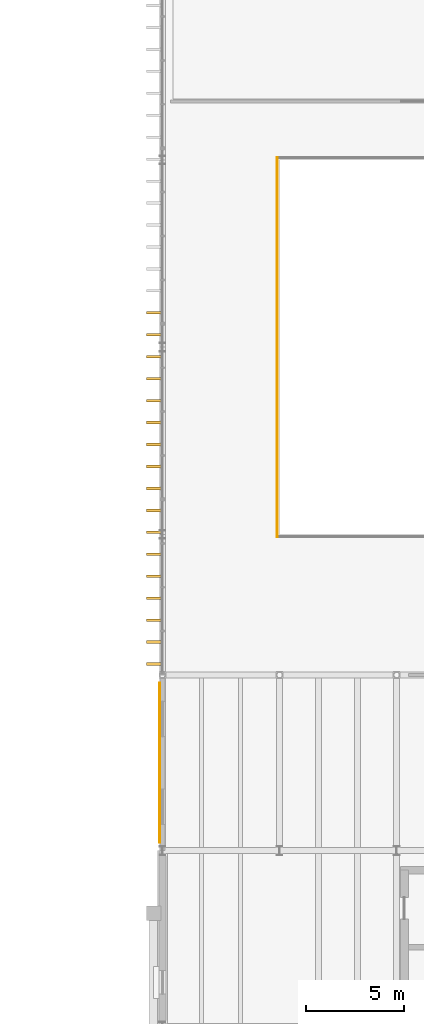
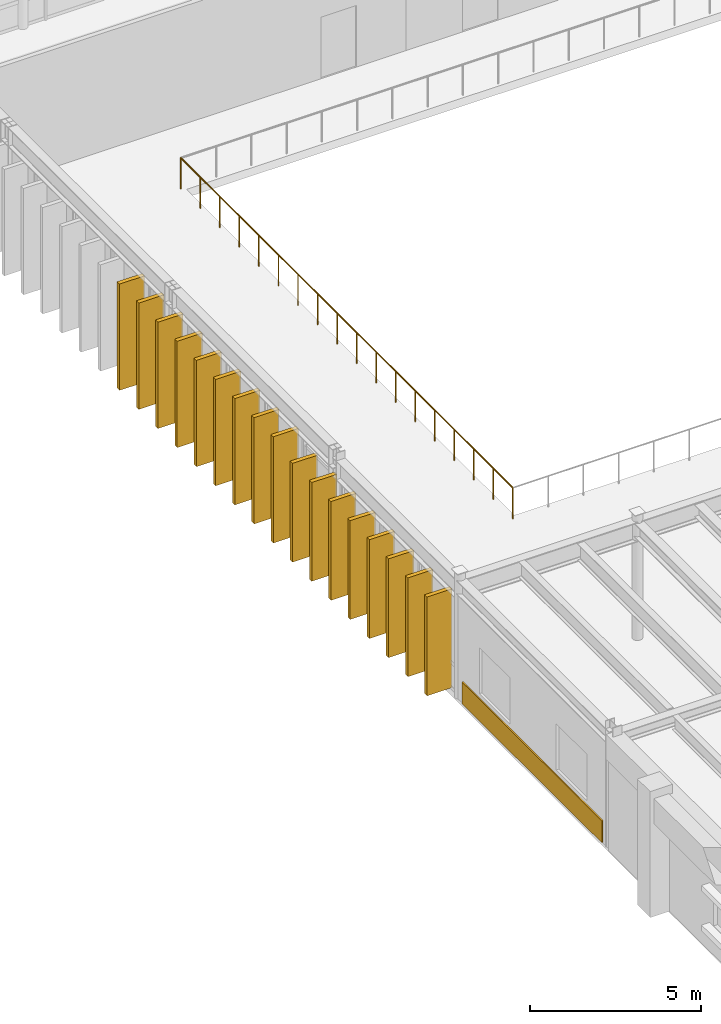
# One storey, part 57 of 64: 18 coverings, 1 railing.
"""IFC4 building model written with IfcOpenShell, lengths in metres."""

from ifc_helpers import new_model, si_unit, direction, frame, origin, origin_2d, place, context, subcontext, project, spatial, rectangle, circle, extrude, material, layer, layer_set, type_object, element, save


model = new_model("IFC4")

# Units and contexts
model_context = context("Model", 3, precision=1e-05, world=origin(), true_north=direction((0.0, 1.0)))
body_context = subcontext(model_context, "Body", "Model", "MODEL_VIEW")
ifc_project = project(units=[si_unit("LENGTHUNIT", "METRE"), si_unit("AREAUNIT", "SQUARE_METRE"), si_unit("VOLUMEUNIT", "CUBIC_METRE"), si_unit("PLANEANGLEUNIT", "RADIAN"), si_unit("MASSUNIT", "GRAM", prefix="KILO")], contexts=[model_context])

# Site, building, storey
site_placement = place(None, origin())
site = spatial("IfcSite", under=ifc_project, at=site_placement, CompositionType="ELEMENT")
building_placement = place(site_placement, origin())
building = spatial("IfcBuilding", under=site, at=building_placement, Name="Montealbar Specialist Clinic", CompositionType="ELEMENT")
storey_placement = place(building_placement, frame((0.0, 0.0, 5.10009765625)))
storey = spatial("IfcBuildingStorey", under=building, at=storey_placement, Name="L01", CompositionType="ELEMENT", Elevation=5.10009765625)

# Coverings
ifc_material_1 = material(Name="Terracotta architectural cladding", Category="masonry")
ifc_layer_1 = layer(ifc_material_1, 0.044921875, Name="Terracotta architectural cladding", Category="masonry")
ifc_layer_set_1 = layer_set([ifc_layer_1], Name="Terracotta architectural cladding")
covering_type_1 = type_object("IfcCoveringType", Name="COV-CLAD-TERRA", PredefinedType="CLADDING", material=ifc_layer_set_1)
covering_placement = place(storey_placement, frame((53.85888671875, 40.5, 0.02978515625), z_axis=(0.0, 0.0, 1.0), x_axis=(0.0, 1.0, 0.0)))
element("IfcCovering", 1, at=covering_placement, inside=storey, type_object=covering_type_1, Name="Facade Plinth Cladding Band L01-026", PredefinedType="CLADDING", context=body_context, shape_type="SweptSolid", body=[
    extrude(rectangle(XDim=8.199951171875, YDim=0.044921875, at=origin_2d()), origin(), (0.0, 0.0, 1.0), 0.780029296875),
])
ifc_material_2 = material(Name="Thermally modified timber cladding", Category="wood")
ifc_layer_2 = layer(ifc_material_2, 0.139892578125, Name="Thermally modified timber cladding", Category="wood")
ifc_layer_set_2 = layer_set([ifc_layer_2], Name="Thermally modified timber cladding")
covering_type_2 = type_object("IfcCoveringType", Name="COV-FIN-TIMBER-850", PredefinedType="CLADDING", material=ifc_layer_set_2)
for number, where, z_axis, x_axis, name in (
    (2, (53.60009765625, 45.56201171875, 0.0), (0.0, 0.0, 1.0), (-1.0, 0.0, 0.0), "Vertical Timber Solar Fin CF-L01-0033"),
    (3, (53.60009765625, 46.68798828125, 0.0), (0.0, 0.0, 1.0), (-1.0, 0.0, 0.0), "Vertical Timber Solar Fin CF-L01-0034"),
    (4, (53.60009765625, 47.81201171875, 0.0), (0.0, 0.0, 1.0), (-1.0, 0.0, 0.0), "Vertical Timber Solar Fin CF-L01-0035"),
    (5, (53.60009765625, 48.93798828125, 0.0), (0.0, 0.0, 1.0), (-1.0, 0.0, 0.0), "Vertical Timber Solar Fin CF-L01-0036"),
    (6, (53.60009765625, 50.06201171875, 0.0), (0.0, 0.0, 1.0), (-1.0, 0.0, 0.0), "Vertical Timber Solar Fin CF-L01-0037"),
    (7, (53.60009765625, 51.18798828125, 0.0), (0.0, 0.0, 1.0), (-1.0, 0.0, 0.0), "Vertical Timber Solar Fin CF-L01-0038"),
    (8, (53.60009765625, 52.31201171875, 0.0), (0.0, 0.0, 1.0), (-1.0, 0.0, 0.0), "Vertical Timber Solar Fin CF-L01-0039"),
    (9, (53.60009765625, 53.43798828125, 0.0), (0.0, 0.0, 1.0), (-1.0, 0.0, 0.0), "Vertical Timber Solar Fin CF-L01-0040"),
):
    element("IfcCovering", number, at=place(storey_placement, frame(where, z_axis=z_axis, x_axis=x_axis)), inside=storey, type_object=covering_type_2, Name=name, PredefinedType="CLADDING", context=body_context, shape_type="SweptSolid", body=[
        extrude(rectangle(XDim=0.85009765625, YDim=0.139892578125, at=origin_2d()), origin(), (0.0, 0.0, 1.0), 3.530029296875),
    ])
for number, where, z_axis, x_axis, name in (
    (10, (53.60009765625, 54.56201171875, 0.0), (0.0, 0.0, 1.0), (-1.0, 0.0, 0.0), "Vertical Timber Solar Fin CF-L01-0041"),
    (11, (53.60009765625, 55.68798828125, 0.0), (0.0, 0.0, 1.0), (-1.0, 0.0, 0.0), "Vertical Timber Solar Fin CF-L01-0042"),
    (12, (53.60009765625, 56.81201171875, 0.0), (0.0, 0.0, 1.0), (-1.0, 0.0, 0.0), "Vertical Timber Solar Fin CF-L01-0043"),
    (13, (53.60009765625, 57.93798828125, 0.0), (0.0, 0.0, 1.0), (-1.0, 0.0, 0.0), "Vertical Timber Solar Fin CF-L01-0044"),
    (14, (53.60009765625, 59.06201171875, 0.0), (0.0, 0.0, 1.0), (-1.0, 0.0, 0.0), "Vertical Timber Solar Fin CF-L01-0045"),
    (15, (53.60009765625, 60.18798828125, 0.0), (0.0, 0.0, 1.0), (-1.0, 0.0, 0.0), "Vertical Timber Solar Fin CF-L01-0046"),
    (16, (53.60009765625, 61.31201171875, 0.0), (0.0, 0.0, 1.0), (-1.0, 0.0, 0.0), "Vertical Timber Solar Fin CF-L01-0047"),
    (17, (53.60009765625, 62.43798828125, 0.0), (0.0, 0.0, 1.0), (-1.0, 0.0, 0.0), "Vertical Timber Solar Fin CF-L01-0048"),
    (18, (53.60009765625, 63.56201171875, 0.0), (0.0, 0.0, 1.0), (-1.0, 0.0, 0.0), "Vertical Timber Solar Fin CF-L01-0049"),
):
    element("IfcCovering", number, at=place(storey_placement, frame(where, z_axis=z_axis, x_axis=x_axis)), inside=storey, type_object=covering_type_2, Name=name, PredefinedType="CLADDING", context=body_context, shape_type="SweptSolid", body=[
        extrude(rectangle(XDim=0.85009765625, YDim=0.139892578125, at=origin_2d()), origin(), (0.0, 0.0, 1.0), 3.800048828125),
    ])

# Railing
ifc_material_3 = material(Name="Steel S355", Category="steel")
ifc_layer_3 = layer(ifc_material_3, 0.06005859375, Name="Steel S355", Category="steel")
ifc_layer_set_3 = layer_set([ifc_layer_3], Name="Steel S355")
railing_type = type_object("IfcRailingType", Name="RAIL-INT-BAL-1100", PredefinedType="BALUSTRADE", material=ifc_layer_set_3)
railing_placement = place(storey_placement, frame((59.8798828125, 52.080078125, 0.0)))
element("IfcRailing", 19, at=railing_placement, inside=storey, type_object=railing_type, Name="Winter Garden Gallery Balustrade W", PredefinedType="BALUSTRADE", context=body_context, shape_type="SweptSolid", body=[
    extrude(circle(Radius=0.02392578125, at=origin_2d()), frame((0.0, 0.0, 1.09619140625), z_axis=(0.0, 1.0, 0.0), x_axis=(-1.0, 0.0, 0.0)), (0.0, 0.0, 1.0), 19.43994140625),
    extrude(circle(Radius=0.02099609375, at=origin_2d()), frame((0.0, 0.0, -0.02490234375)), (0.0, 0.0, 1.0), 1.096923828125),
    extrude(circle(Radius=0.02099609375, at=origin_2d()), frame((0.0, 1.1435546875, -0.02490234375)), (0.0, 0.0, 1.0), 1.096923828125),
    extrude(circle(Radius=0.02099609375, at=origin_2d()), frame((0.0, 2.287109375, -0.02490234375)), (0.0, 0.0, 1.0), 1.096923828125),
    extrude(circle(Radius=0.02099609375, at=origin_2d()), frame((0.0, 3.4306640625, -0.02490234375)), (0.0, 0.0, 1.0), 1.096923828125),
    extrude(circle(Radius=0.02099609375, at=origin_2d()), frame((0.0, 4.57421875, -0.02490234375)), (0.0, 0.0, 1.0), 1.096923828125),
    extrude(circle(Radius=0.02099609375, at=origin_2d()), frame((0.0, 5.717529296875, -0.02490234375)), (0.0, 0.0, 1.0), 1.096923828125),
    extrude(circle(Radius=0.02099609375, at=origin_2d()), frame((0.0, 6.861083984375, -0.02490234375)), (0.0, 0.0, 1.0), 1.096923828125),
    extrude(circle(Radius=0.02099609375, at=origin_2d()), frame((0.0, 8.004638671875, -0.02490234375)), (0.0, 0.0, 1.0), 1.096923828125),
    extrude(circle(Radius=0.02099609375, at=origin_2d()), frame((0.0, 9.148193359375, -0.02490234375)), (0.0, 0.0, 1.0), 1.096923828125),
    extrude(circle(Radius=0.02099609375, at=origin_2d()), frame((0.0, 10.291748046875, -0.02490234375)), (0.0, 0.0, 1.0), 1.096923828125),
    extrude(circle(Radius=0.02099609375, at=origin_2d()), frame((0.0, 11.435302734375, -0.02490234375)), (0.0, 0.0, 1.0), 1.096923828125),
    extrude(circle(Radius=0.02099609375, at=origin_2d()), frame((0.0, 12.578857421875, -0.02490234375)), (0.0, 0.0, 1.0), 1.096923828125),
    extrude(circle(Radius=0.02099609375, at=origin_2d()), frame((0.0, 13.722412109375, -0.02490234375)), (0.0, 0.0, 1.0), 1.096923828125),
    extrude(circle(Radius=0.02099609375, at=origin_2d()), frame((0.0, 14.86572265625, -0.02490234375)), (0.0, 0.0, 1.0), 1.096923828125),
    extrude(circle(Radius=0.02099609375, at=origin_2d()), frame((0.0, 16.00927734375, -0.02490234375)), (0.0, 0.0, 1.0), 1.096923828125),
    extrude(circle(Radius=0.02099609375, at=origin_2d()), frame((0.0, 17.15283203125, -0.02490234375)), (0.0, 0.0, 1.0), 1.096923828125),
    extrude(circle(Radius=0.02099609375, at=origin_2d()), frame((0.0, 18.29638671875, -0.02490234375)), (0.0, 0.0, 1.0), 1.096923828125),
    extrude(circle(Radius=0.02099609375, at=origin_2d()), frame((0.0, 19.43994140625, -0.02490234375)), (0.0, 0.0, 1.0), 1.096923828125),
])

save(model, "model.ifc")
